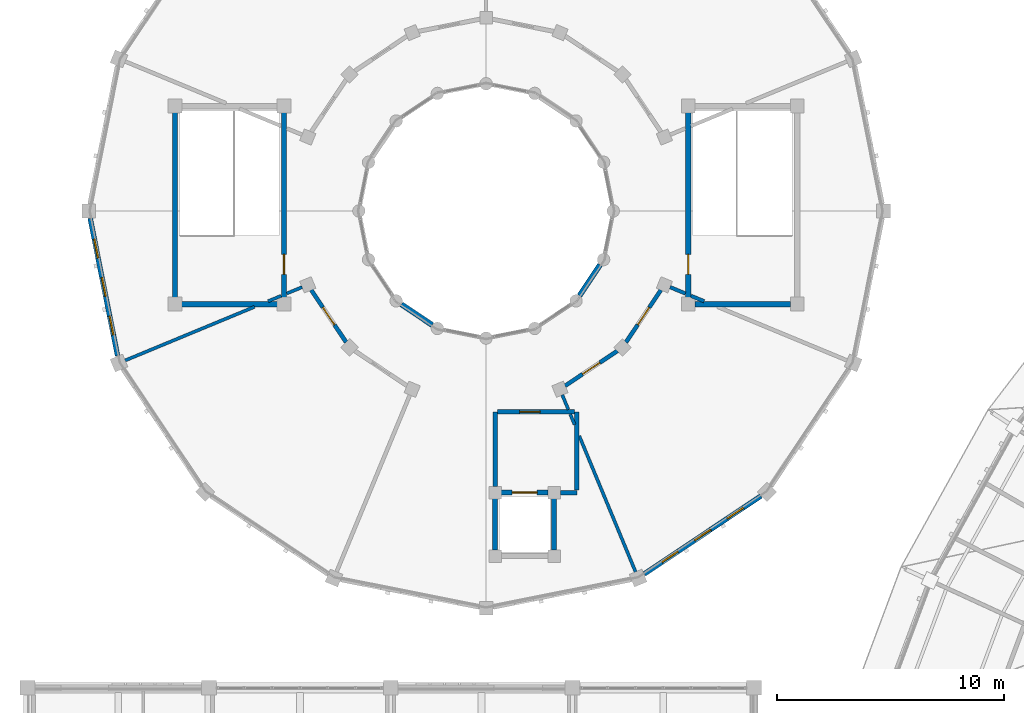
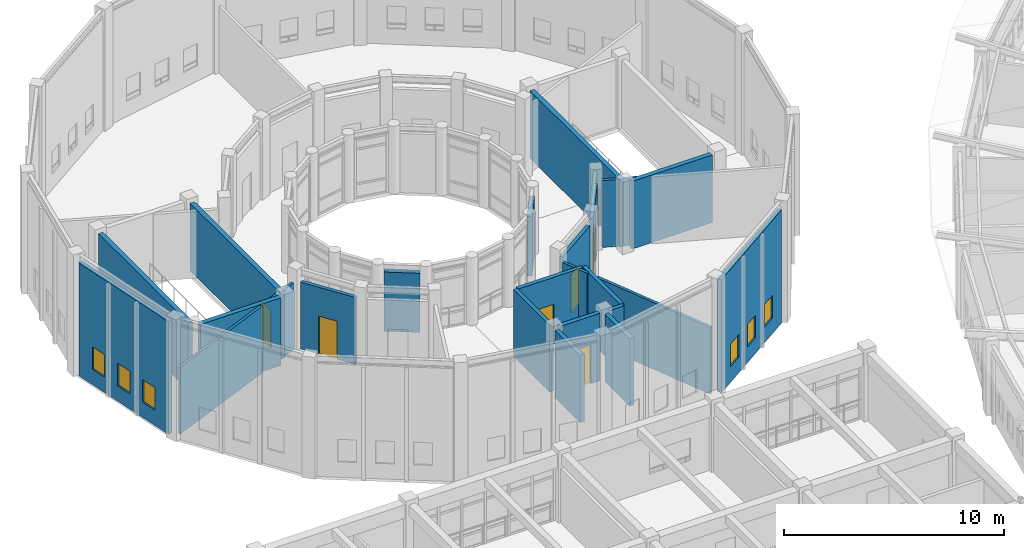
# One storey, part 126 of 149: 27 walls, 7 doors, 6 windows, 13 openings.
"""IFC4 building model written with IfcOpenShell, lengths in metres."""

import ifcopenshell
import ifcopenshell.guid

model = None  # the IFC model being written
_history = None  # IfcOwnerHistory: only IFC2X3 demands one
_inside = {}  # id of a spatial element -> (the spatial element, [elements in it])
_under = {}  # id of a project, library or spatial element -> (it, [spatial elements below it])
_declared = {}  # id of a project -> (the project, [libraries it declares])
_typed = {}  # id of a type object -> (the type object, [elements of that type])
_made_of = {}  # id of a material, layer set ... -> (it, [elements and type objects made of it])


def new_model(schema):
    """Start an empty IFC model of exactly this schema.

    Asked for "IFC4X3", IfcOpenShell would pick the latest addendum, in which some entities
    have other attributes; the version numbers below select the first issue.
    IFC2X3 requires an IfcOwnerHistory on every rooted entity: one is made here for all.
    """
    global model, _history
    if schema == "IFC4X3":
        model = ifcopenshell.file(schema_version=(4, 3, 0, 0))
    else:
        model = ifcopenshell.file(schema=schema)
    _inside.clear()
    _under.clear()
    _declared.clear()
    _typed.clear()
    _made_of.clear()
    _history = None
    if model.schema == "IFC2X3":
        org = make("IfcOrganization", Name="unknown")
        user = make(
            "IfcPersonAndOrganization",
            ThePerson=make("IfcPerson", FamilyName="unknown"),
            TheOrganization=org,
        )
        app = make(
            "IfcApplication",
            ApplicationDeveloper=org,
            Version="unknown",
            ApplicationFullName="unknown",
            ApplicationIdentifier="unknown",
        )
        _history = make(
            "IfcOwnerHistory",
            OwningUser=user,
            OwningApplication=app,
            ChangeAction="ADDED",
            CreationDate=0,
        )
    return model


def make(cls, **values):
    """One entity of the class cls with the attributes given. An attribute that is None is left unset."""
    return model.create_entity(
        cls, **{name: value for name, value in values.items() if value is not None}
    )


def rooted(cls, **values):
    """An entity with a GlobalId (a new one), such as an element, a storey or a relation."""
    return make(cls, GlobalId=ifcopenshell.guid.new(), OwnerHistory=_history, **values)


def si_unit(unit_type, name, prefix=None):
    """IfcSIUnit, for example si_unit("LENGTHUNIT", "METRE", prefix="MILLI")."""
    return make("IfcSIUnit", UnitType=unit_type, Prefix=prefix, Name=name)


def assignment(units):
    """IfcUnitAssignment: the units of a project."""
    return None if units is None else make("IfcUnitAssignment", Units=units)


def point(xyz):
    """IfcCartesianPoint."""
    return None if xyz is None else make("IfcCartesianPoint", Coordinates=xyz)


def direction(xyz):
    """IfcDirection."""
    return None if xyz is None else make("IfcDirection", DirectionRatios=xyz)


def frame(location, z_axis=None, x_axis=None):
    """IfcAxis2Placement3D, a coordinate frame: its origin and axes. An axis left out is left unset."""
    return make(
        "IfcAxis2Placement3D",
        Location=point(location),
        Axis=direction(z_axis),
        RefDirection=direction(x_axis),
    )


def frame_2d(location, x_axis=None):
    """IfcAxis2Placement2D, a coordinate frame in the plane: its origin and x axis."""
    return make(
        "IfcAxis2Placement2D", Location=point(location), RefDirection=direction(x_axis)
    )


def origin():
    """The frame at (0, 0, 0) with its axes left unset."""
    return frame((0.0, 0.0, 0.0))


def place(relative_to, where):
    """IfcLocalPlacement: puts the frame where relative to a parent placement (None: the world)."""
    return make(
        "IfcLocalPlacement", PlacementRelTo=relative_to, RelativePlacement=where
    )


def context(
    kind, dimensions, precision=None, world=None, true_north=None, identifier=None
):
    """IfcGeometricRepresentationContext, for example the 3D "Model" context."""
    return make(
        "IfcGeometricRepresentationContext",
        ContextIdentifier=identifier,
        ContextType=kind,
        CoordinateSpaceDimension=dimensions,
        Precision=precision,
        WorldCoordinateSystem=world,
        TrueNorth=true_north,
    )


def subcontext(parent, identifier, kind, view, scale=None):
    """IfcGeometricRepresentationSubContext, for example "Body" below "Model"."""
    return make(
        "IfcGeometricRepresentationSubContext",
        ContextIdentifier=identifier,
        ContextType=kind,
        ParentContext=parent,
        TargetScale=scale,
        TargetView=view,
    )


def project(units=None, contexts=None):
    """IfcProject with its units and contexts."""
    return rooted(
        "IfcProject",
        Name="project",
        RepresentationContexts=contexts,
        UnitsInContext=assignment(units),
    )


def spatial(cls, under=None, at=None, **own):
    """A site, building, storey or space (cls), placed at a placement, below another one or the project."""
    s = rooted(cls, ObjectPlacement=at, **own)
    if under is not None:
        _under.setdefault(under.id(), (under, []))[1].append(s)
    return s


def profile(cls, at=None, kind="AREA", **sizes):
    """A parametric profile (cls). Its sizes go by their IFC names, for example OverallWidth=200.0."""
    return make(cls, ProfileType=kind, Position=at, **sizes)


def rectangle(**sizes):
    """IfcRectangleProfileDef."""
    return profile("IfcRectangleProfileDef", **sizes)


def extrude(swept, where, along, depth):
    """IfcExtrudedAreaSolid: the profile swept, set in the frame where, extruded along a direction by depth."""
    return make(
        "IfcExtrudedAreaSolid",
        SweptArea=swept,
        Position=where,
        ExtrudedDirection=direction(along),
        Depth=depth,
    )


def shape(context_of_items, identifier, shape_type, items):
    """IfcShapeRepresentation: the items that make up one representation, for example the "Body"."""
    return make(
        "IfcShapeRepresentation",
        ContextOfItems=context_of_items,
        RepresentationIdentifier=identifier,
        RepresentationType=shape_type,
        Items=items,
    )


def material(Name=None, Category=None):
    """IfcMaterial."""
    return make("IfcMaterial", Name=Name, Category=Category)


def layer(
    of_material, thickness, ventilated=None, Name=None, Category=None, Priority=None
):
    """IfcMaterialLayer: one layer of a wall or slab, of a material (None: an air gap)."""
    return make(
        "IfcMaterialLayer",
        Material=of_material,
        LayerThickness=thickness,
        IsVentilated=ventilated,
        Name=Name,
        Category=Category,
        Priority=Priority,
    )


def layer_set(layers, Name=None):
    """IfcMaterialLayerSet."""
    return make("IfcMaterialLayerSet", MaterialLayers=layers, LayerSetName=Name)


def made_of(thing, what):
    """Note that an element or type object is made of a material, layer set ...; save() writes the relation."""
    if what is not None:
        _made_of.setdefault(what.id(), (what, []))[1].append(thing)
    return thing


def type_object(cls, material=None, **own):
    """A type object (cls), such as IfcWallType, which elements share."""
    return made_of(rooted(cls, **own), material)


def element(
    cls,
    number,
    at=None,
    inside=None,
    cuts=None,
    type_object=None,
    material=None,
    context=None,
    identifier="Body",
    shape_type=None,
    held_by="IfcProductDefinitionShape",
    body=None,
    shapes=None,
    **own,
):
    """One element of the class cls, such as IfcWall. Its Tag is "e" and its number.

    at: its placement. inside: the storey or other place that contains it. cuts: it is an
    opening in that element (IfcRelVoidsElement). A single representation is given by context,
    identifier, shape_type and body (its items); several are given by shapes. held_by: the class
    of the entity that holds the representations. save() writes the other relations.
    """
    e = rooted(cls, Tag="e%d" % number, ObjectPlacement=at, **own)
    if body is not None:
        shapes = [shape(context, identifier, shape_type, body)]
    if shapes is not None:
        e.Representation = make(held_by, Representations=shapes)
    if inside is not None:
        _inside.setdefault(inside.id(), (inside, []))[1].append(e)
    if cuts is not None:
        rooted(
            "IfcRelVoidsElement", RelatingBuildingElement=cuts, RelatedOpeningElement=e
        )
    if type_object is not None:
        _typed.setdefault(type_object.id(), (type_object, []))[1].append(e)
    return made_of(e, material)


def fill(opening, filler):
    """IfcRelFillsElement: the door or window that sits in an opening."""
    return rooted(
        "IfcRelFillsElement",
        RelatingOpeningElement=opening,
        RelatedBuildingElement=filler,
    )


def aggregate(whole, parts):
    """IfcRelAggregates: a whole, such as a stair, and the parts it consists of."""
    return rooted("IfcRelAggregates", RelatingObject=whole, RelatedObjects=parts)


def save(model, path):
    """Write the relations noted so far, then the file.

    IfcRelAggregates (storeys below a building ...), IfcRelContainedInSpatialStructure (elements
    in a storey), IfcRelDefinesByType, IfcRelAssociatesMaterial and IfcRelDeclares: one each for
    every whole, place, type object, material and project.
    """
    for whole, parts in _under.values():
        aggregate(whole, parts)
    for where, things in _inside.values():
        rooted(
            "IfcRelContainedInSpatialStructure",
            RelatedElements=things,
            RelatingStructure=where,
        )
    for kind, things in _typed.values():
        rooted("IfcRelDefinesByType", RelatedObjects=things, RelatingType=kind)
    for what, things in _made_of.values():
        rooted("IfcRelAssociatesMaterial", RelatedObjects=things, RelatingMaterial=what)
    for by, libraries in _declared.values():
        rooted("IfcRelDeclares", RelatingContext=by, RelatedDefinitions=libraries)
    model.write(path)


model = new_model("IFC4")

# Units and contexts
model_context = context("Model", 3, precision=1e-05, world=origin(), true_north=direction((0.0, 1.0)))
body_context = subcontext(model_context, "Body", "Model", "MODEL_VIEW")
ifc_project = project(units=[si_unit("LENGTHUNIT", "METRE"), si_unit("AREAUNIT", "SQUARE_METRE"), si_unit("VOLUMEUNIT", "CUBIC_METRE"), si_unit("PLANEANGLEUNIT", "RADIAN"), si_unit("MASSUNIT", "GRAM", prefix="KILO")], contexts=[model_context])

# Site, building, storey
site_placement = place(None, origin())
site = spatial("IfcSite", under=ifc_project, at=site_placement, CompositionType="ELEMENT")
building_placement = place(site_placement, origin())
building = spatial("IfcBuilding", under=site, at=building_placement, Name="Celadon Cloister-Ring School", CompositionType="ELEMENT")
storey_placement = place(building_placement, frame((0.0, 0.0, 12.5)))
storey = spatial("IfcBuildingStorey", under=building, at=storey_placement, Name="L03", CompositionType="ELEMENT", Elevation=12.5)

# Walls
ifc_material_1 = material(Name="Rendered concrete blockwork", Category="masonry")
ifc_layer_1 = layer(ifc_material_1, 0.239990234375)
ifc_layer_set_1 = layer_set([ifc_layer_1], Name="Rendered concrete blockwork")
wall_type_1 = type_object("IfcWallType", Name="WT-EX3", PredefinedType="SOLIDWALL", material=ifc_layer_set_1)
for number, where, z_axis, x_axis, name in (
    (1, (16.469970703125, 92.885986328125, 0.0), (0.0, 0.0, 1.0), (0.83165874011, -0.555287078904, 0.0), "Exterior Wall 0284"),
    (2, (24.31396484375, 93.27001953125, 0.0), (0.0, 0.0, 1.0), (0.555287078904, 0.83165874011, 0.0), "Exterior Wall 0289"),
):
    element("IfcWall", number, at=place(storey_placement, frame(where, z_axis=z_axis, x_axis=x_axis)), inside=storey, type_object=wall_type_1, Name=name, PredefinedType="SOLIDWALL", context=body_context, shape_type="SweptSolid", body=[
        extrude(rectangle(XDim=1.631591796875, YDim=0.239990234375, at=frame_2d((0.81591796875, 0.0))), origin(), (0.0, 0.0, 1.0), 3.27490234375),
    ])

# Wall, openings, windows
ifc_material_2 = material(Name="Perforated terracotta clay brick masonry", Category="masonry")
ifc_layer_2 = layer(ifc_material_2, 0.219970703125)
ifc_layer_set_2 = layer_set([ifc_layer_2], Name="Perforated terracotta clay brick masonry")
wall_type_2 = type_object("IfcWallType", Name="WT-EX4", PredefinedType="SOLIDWALL", material=ifc_layer_set_2)
wall_1_placement = place(storey_placement, frame((3.968017578125, 90.6259765625, 0.0), z_axis=(0.0, 0.0, 1.0), x_axis=(-0.195164813773, 0.980770460131, 0.0)))
wall_1 = element("IfcWall", 3, at=wall_1_placement, inside=storey, type_object=wall_type_2, Name="Exterior Wall 0281", PredefinedType="SOLIDWALL", context=body_context, shape_type="SweptSolid", body=[
    extrude(rectangle(XDim=6.169677734375, YDim=0.219970703125, at=frame_2d((3.0849609375, 0.0))), origin(), (0.0, 0.0, 1.0), 6.25),
])
opening_1_placement = place(wall_1_placement, frame((0.931884765625, 0.0, 0.85009765625)))
opening_1 = element("IfcOpeningElement", 4, at=opening_1_placement, cuts=wall_1, Name="Opening WN-11", PredefinedType="OPENING", context=body_context, shape_type="SweptSolid", body=[
    extrude(rectangle(XDim=0.85009765625, YDim=1.25, at=frame_2d((0.425048828125, 0.625))), frame((0.0, 0.1201171875, 0.0), z_axis=(0.0, -1.0, 0.0), x_axis=(1.0, 0.0, 0.0)), (0.0, 0.0, 1.0), 0.239990234375),
])
opening_2_placement = place(wall_1_placement, frame((2.659912109375, 0.0, 0.85009765625)))
opening_2 = element("IfcOpeningElement", 5, at=opening_2_placement, cuts=wall_1, Name="Opening WN-11", PredefinedType="OPENING", context=body_context, shape_type="SweptSolid", body=[
    extrude(rectangle(XDim=0.85009765625, YDim=1.25, at=frame_2d((0.425048828125, 0.625))), frame((0.0, 0.1201171875, 0.0), z_axis=(0.0, -1.0, 0.0), x_axis=(1.0, 0.0, 0.0)), (0.0, 0.0, 1.0), 0.239990234375),
])
opening_3_placement = place(wall_1_placement, frame((4.386962890625, 0.0, 0.85009765625)))
opening_3 = element("IfcOpeningElement", 6, at=opening_3_placement, cuts=wall_1, Name="Opening WN-11", PredefinedType="OPENING", context=body_context, shape_type="SweptSolid", body=[
    extrude(rectangle(XDim=0.85009765625, YDim=1.25, at=frame_2d((0.425048828125, 0.625))), frame((0.0, 0.1201171875, 0.0), z_axis=(0.0, -1.0, 0.0), x_axis=(1.0, 0.0, 0.0)), (0.0, 0.0, 1.0), 0.239990234375),
])
ifc_material_3 = material(Name="Tempered laminated insulating glass", Category="glass")
window_type = type_object("IfcWindowType", Name="WN-11", PartitioningType="SINGLE_PANEL", PredefinedType="WINDOW", material=ifc_material_3)
window_1_placement = place(opening_1_placement, origin())
window_1 = element("IfcWindow", 7, at=window_1_placement, inside=storey, type_object=window_type, Name="Window 0738", OverallHeight=1.25, OverallWidth=0.85009765625, PartitioningType="SINGLE_PANEL", PredefinedType="WINDOW", context=body_context, shape_type="SweptSolid", body=[
    extrude(rectangle(XDim=0.85009765625, YDim=1.25, at=frame_2d((0.425048828125, 0.625))), frame((0.0, 0.030029296875, 0.0), z_axis=(0.0, -1.0, 0.0), x_axis=(1.0, 0.0, 0.0)), (0.0, 0.0, 1.0), 0.06005859375),
])
fill(opening_1, window_1)
window_2_placement = place(opening_2_placement, origin())
window_2 = element("IfcWindow", 8, at=window_2_placement, inside=storey, type_object=window_type, Name="Window 0739", OverallHeight=1.25, OverallWidth=0.85009765625, PartitioningType="SINGLE_PANEL", PredefinedType="WINDOW", context=body_context, shape_type="SweptSolid", body=[
    extrude(rectangle(XDim=0.85009765625, YDim=1.25, at=frame_2d((0.425048828125, 0.625))), frame((0.0, 0.030029296875, 0.0), z_axis=(0.0, -1.0, 0.0), x_axis=(1.0, 0.0, 0.0)), (0.0, 0.0, 1.0), 0.06005859375),
])
fill(opening_2, window_2)
window_3_placement = place(opening_3_placement, origin())
window_3 = element("IfcWindow", 9, at=window_3_placement, inside=storey, type_object=window_type, Name="Window 0740", OverallHeight=1.25, OverallWidth=0.85009765625, PartitioningType="SINGLE_PANEL", PredefinedType="WINDOW", context=body_context, shape_type="SweptSolid", body=[
    extrude(rectangle(XDim=0.85009765625, YDim=1.25, at=frame_2d((0.425048828125, 0.625))), frame((0.0, 0.030029296875, 0.0), z_axis=(0.0, -1.0, 0.0), x_axis=(1.0, 0.0, 0.0)), (0.0, 0.0, 1.0), 0.06005859375),
])
fill(opening_3, window_3)

wall_2_placement = place(storey_placement, frame((32.300048828125, 84.443115234375, 0.0), z_axis=(0.0, 0.0, 1.0), x_axis=(-0.831392186772, -0.55568609104, 0.0)))
wall_2 = element("IfcWall", 10, at=wall_2_placement, inside=storey, type_object=wall_type_2, Name="Exterior Wall 0287", PredefinedType="SOLIDWALL", context=body_context, shape_type="SweptSolid", body=[
    extrude(rectangle(XDim=6.16943359375, YDim=0.219970703125, at=frame_2d((3.084716796875, 0.0))), origin(), (0.0, 0.0, 1.0), 6.25),
])
opening_4_placement = place(wall_2_placement, frame((0.931884765625, 0.0, 0.85009765625)))
opening_4 = element("IfcOpeningElement", 11, at=opening_4_placement, cuts=wall_2, Name="Opening WN-11", PredefinedType="OPENING", context=body_context, shape_type="SweptSolid", body=[
    extrude(rectangle(XDim=0.85009765625, YDim=1.25, at=frame_2d((0.425048828125, 0.625))), frame((0.0, 0.1201171875, 0.0), z_axis=(0.0, -1.0, 0.0), x_axis=(1.0, 0.0, 0.0)), (0.0, 0.0, 1.0), 0.239990234375),
])
opening_5_placement = place(wall_2_placement, frame((2.659912109375, 0.0, 0.85009765625)))
opening_5 = element("IfcOpeningElement", 12, at=opening_5_placement, cuts=wall_2, Name="Opening WN-11", PredefinedType="OPENING", context=body_context, shape_type="SweptSolid", body=[
    extrude(rectangle(XDim=0.85009765625, YDim=1.25, at=frame_2d((0.425048828125, 0.625))), frame((0.0, 0.1201171875, 0.0), z_axis=(0.0, -1.0, 0.0), x_axis=(1.0, 0.0, 0.0)), (0.0, 0.0, 1.0), 0.239990234375),
])
opening_6_placement = place(wall_2_placement, frame((4.386962890625, 0.0, 0.85009765625)))
opening_6 = element("IfcOpeningElement", 13, at=opening_6_placement, cuts=wall_2, Name="Opening WN-11", PredefinedType="OPENING", context=body_context, shape_type="SweptSolid", body=[
    extrude(rectangle(XDim=0.85009765625, YDim=1.25, at=frame_2d((0.425048828125, 0.625))), frame((0.0, 0.1201171875, 0.0), z_axis=(0.0, -1.0, 0.0), x_axis=(1.0, 0.0, 0.0)), (0.0, 0.0, 1.0), 0.239990234375),
])
window_4_placement = place(opening_4_placement, origin())
window_4 = element("IfcWindow", 14, at=window_4_placement, inside=storey, type_object=window_type, Name="Window 0753", OverallHeight=1.25, OverallWidth=0.85009765625, PartitioningType="SINGLE_PANEL", PredefinedType="WINDOW", context=body_context, shape_type="SweptSolid", body=[
    extrude(rectangle(XDim=0.85009765625, YDim=1.25, at=frame_2d((0.425048828125, 0.625))), frame((0.0, 0.030029296875, 0.0), z_axis=(0.0, -1.0, 0.0), x_axis=(1.0, 0.0, 0.0)), (0.0, 0.0, 1.0), 0.06005859375),
])
fill(opening_4, window_4)
window_5_placement = place(opening_5_placement, origin())
window_5 = element("IfcWindow", 15, at=window_5_placement, inside=storey, type_object=window_type, Name="Window 0754", OverallHeight=1.25, OverallWidth=0.85009765625, PartitioningType="SINGLE_PANEL", PredefinedType="WINDOW", context=body_context, shape_type="SweptSolid", body=[
    extrude(rectangle(XDim=0.85009765625, YDim=1.25, at=frame_2d((0.425048828125, 0.625))), frame((0.0, 0.030029296875, 0.0), z_axis=(0.0, -1.0, 0.0), x_axis=(1.0, 0.0, 0.0)), (0.0, 0.0, 1.0), 0.06005859375),
])
fill(opening_5, window_5)
window_6_placement = place(opening_6_placement, origin())
window_6 = element("IfcWindow", 16, at=window_6_placement, inside=storey, type_object=window_type, Name="Window 0755", OverallHeight=1.25, OverallWidth=0.85009765625, PartitioningType="SINGLE_PANEL", PredefinedType="WINDOW", context=body_context, shape_type="SweptSolid", body=[
    extrude(rectangle(XDim=0.85009765625, YDim=1.25, at=frame_2d((0.425048828125, 0.625))), frame((0.0, 0.030029296875, 0.0), z_axis=(0.0, -1.0, 0.0), x_axis=(1.0, 0.0, 0.0)), (0.0, 0.0, 1.0), 0.06005859375),
])
fill(opening_6, window_6)

# Walls
ifc_material_4 = material(Name="Plastered hollow concrete masonry", Category="masonry")
ifc_layer_3 = layer(ifc_material_4, 0.199951171875)
ifc_layer_set_3 = layer_set([ifc_layer_3], Name="Plastered hollow concrete masonry")
wall_type_3 = type_object("IfcWallType", Name="WT-PT1", PredefinedType="PARTITIONING", material=ifc_layer_set_3)
wall_3_placement = place(storey_placement, frame((23.467041015625, 84.60009765625, 0.0), z_axis=(0.0, 0.0, 1.0), x_axis=(1.0, 0.0, 0.0)))
element("IfcWall", 17, at=wall_3_placement, inside=storey, type_object=wall_type_3, Name="Interior Wall 0363", PredefinedType="PARTITIONING", context=body_context, shape_type="SweptSolid", body=[
    extrude(rectangle(XDim=0.73291015625, YDim=0.199951171875, at=frame_2d((0.366455078125, 0.0))), origin(), (0.0, 0.0, 1.0), 3.699951171875),
])
wall_4_placement = place(storey_placement, frame((20.60009765625, 84.866943359375, 0.0), z_axis=(0.0, 0.0, 1.0), x_axis=(0.0, 1.0, 0.0)))
element("IfcWall", 18, at=wall_4_placement, inside=storey, type_object=wall_type_3, Name="Interior Wall 0364", PredefinedType="PARTITIONING", context=body_context, shape_type="SweptSolid", body=[
    extrude(rectangle(XDim=3.282958984375, YDim=0.199951171875, at=frame_2d((1.6416015625, 0.0))), origin(), (0.0, 0.0, 1.0), 3.699951171875),
])
wall_5_placement = place(storey_placement, frame((24.199951171875, 84.702880859375, 0.0), z_axis=(0.0, 0.0, 1.0), x_axis=(0.0, 1.0, 0.0)))
element("IfcWall", 19, at=wall_5_placement, inside=storey, type_object=wall_type_3, Name="Interior Wall 0365", PredefinedType="PARTITIONING", context=body_context, shape_type="SweptSolid", body=[
    extrude(rectangle(XDim=3.447021484375, YDim=0.199951171875, at=frame_2d((1.7236328125, 0.0))), origin(), (0.0, 0.0, 1.0), 3.699951171875),
])

# Wall, opening, door
wall_6_placement = place(storey_placement, frame((20.702880859375, 88.14990234375, 0.0), z_axis=(0.0, 0.0, 1.0), x_axis=(1.0, 0.0, 0.0)))
wall_6 = element("IfcWall", 20, at=wall_6_placement, inside=storey, type_object=wall_type_3, Name="Interior Wall 0366", PredefinedType="PARTITIONING", context=body_context, shape_type="SweptSolid", body=[
    extrude(rectangle(XDim=3.39404296875, YDim=0.199951171875, at=frame_2d((1.697021484375, 0.0))), origin(), (0.0, 0.0, 1.0), 3.699951171875),
])
opening_7_placement = place(wall_6_placement, frame((0.97509765625, 0.0, 0.0)))
opening_7 = element("IfcOpeningElement", 21, at=opening_7_placement, cuts=wall_6, Name="Opening D-0104", PredefinedType="OPENING", context=body_context, shape_type="SweptSolid", body=[
    extrude(rectangle(XDim=0.89990234375, YDim=2.199951171875, at=frame_2d((0.449951171875, 1.10009765625))), frame((0.0, 0.10986328125, 0.0), z_axis=(0.0, -1.0, 0.0), x_axis=(1.0, 0.0, 0.0)), (0.0, 0.0, 1.0), 0.219970703125),
])
ifc_material_5 = material(Name="Solid-core fire-rated hardwood leaf", Category="wood")
door_type_1 = type_object("IfcDoorType", Name="DT-06", OperationType="NOTDEFINED", PredefinedType="DOOR", material=ifc_material_5)
door_1_placement = place(opening_7_placement, origin())
door_1 = element("IfcDoor", 22, at=door_1_placement, inside=storey, type_object=door_type_1, Name="Door D-0104", OperationType="SINGLE_SWING_RIGHT", OverallHeight=2.199951171875, OverallWidth=0.89990234375, PredefinedType="DOOR", context=body_context, shape_type="SweptSolid", body=[
    extrude(rectangle(XDim=0.89990234375, YDim=2.199951171875, at=frame_2d((0.449951171875, 1.10009765625))), frame((0.0, 0.02490234375, 0.0), z_axis=(0.0, -1.0, 0.0), x_axis=(1.0, 0.0, 0.0)), (0.0, 0.0, 1.0), 0.050048828125),
])
fill(opening_7, door_1)

ifc_material_6 = material(Name="Plastered hollow concrete masonry", Category="masonry")
ifc_layer_4 = layer(ifc_material_6, 0.179931640625)
ifc_layer_set_4 = layer_set([ifc_layer_4], Name="Plastered hollow concrete masonry")
wall_type_4 = type_object("IfcWallType", Name="WT-PT2", PredefinedType="PARTITIONING", material=ifc_layer_set_4)
wall_7_placement = place(storey_placement, frame((12.498046875, 93.52099609375, 0.0), z_axis=(0.0, 0.0, 1.0), x_axis=(0.555797002478, -0.831318045056, 0.0)))
wall_7 = element("IfcWall", 23, at=wall_7_placement, inside=storey, type_object=wall_type_4, Name="Interior Wall 0754", PredefinedType="PARTITIONING", context=body_context, shape_type="SweptSolid", body=[
    extrude(rectangle(XDim=2.772705078125, YDim=0.179931640625, at=frame_2d((1.38623046875, 0.0))), origin(), (0.0, 0.0, 1.0), 3.699951171875),
])
opening_8_placement = place(wall_7_placement, frame((0.926025390625, 0.0, 0.0)))
opening_8 = element("IfcOpeningElement", 24, at=opening_8_placement, cuts=wall_7, Name="Opening D-0275", PredefinedType="OPENING", context=body_context, shape_type="SweptSolid", body=[
    extrude(rectangle(XDim=0.919921875, YDim=2.10009765625, at=frame_2d((0.4599609375, 1.050048828125))), frame((0.0, 0.10009765625, 0.0), z_axis=(0.0, -1.0, 0.0), x_axis=(1.0, 0.0, 0.0)), (0.0, 0.0, 1.0), 0.199951171875),
])
ifc_material_7 = material(Name="Solid-core fire-rated hardwood leaf", Category="wood")
door_type_2 = type_object("IfcDoorType", Name="DT-02", OperationType="NOTDEFINED", PredefinedType="DOOR", material=ifc_material_7)
door_2_placement = place(opening_8_placement, origin())
door_2 = element("IfcDoor", 25, at=door_2_placement, inside=storey, type_object=door_type_2, Name="Door D-0275", OperationType="SINGLE_SWING_LEFT", OverallHeight=2.10009765625, OverallWidth=0.919921875, PredefinedType="DOOR", context=body_context, shape_type="SweptSolid", body=[
    extrude(rectangle(XDim=0.919921875, YDim=2.10009765625, at=frame_2d((0.4599609375, 1.050048828125))), frame((0.0, 0.02490234375, 0.0), z_axis=(0.0, -1.0, 0.0), x_axis=(1.0, 0.0, 0.0)), (0.0, 0.0, 1.0), 0.050048828125),
])
fill(opening_8, door_2)

wall_8_placement = place(storey_placement, frame((23.678955078125, 89.298095703125, 0.0), z_axis=(0.0, 0.0, 1.0), x_axis=(0.831318045056, 0.555797002478, 0.0)))
wall_8 = element("IfcWall", 26, at=wall_8_placement, inside=storey, type_object=wall_type_4, Name="Interior Wall 0756", PredefinedType="PARTITIONING", context=body_context, shape_type="SweptSolid", body=[
    extrude(rectangle(XDim=2.772705078125, YDim=0.179931640625, at=frame_2d((1.38623046875, 0.0))), origin(), (0.0, 0.0, 1.0), 3.699951171875),
])
opening_9_placement = place(wall_8_placement, frame((0.926025390625, 0.0, 0.0)))
opening_9 = element("IfcOpeningElement", 27, at=opening_9_placement, cuts=wall_8, Name="Opening D-0277", PredefinedType="OPENING", context=body_context, shape_type="SweptSolid", body=[
    extrude(rectangle(XDim=0.919921875, YDim=2.10009765625, at=frame_2d((0.4599609375, 1.050048828125))), frame((0.0, 0.10009765625, 0.0), z_axis=(0.0, -1.0, 0.0), x_axis=(1.0, 0.0, 0.0)), (0.0, 0.0, 1.0), 0.199951171875),
])
door_3_placement = place(opening_9_placement, origin())
door_3 = element("IfcDoor", 28, at=door_3_placement, inside=storey, type_object=door_type_2, Name="Door D-0277", OperationType="SINGLE_SWING_LEFT", OverallHeight=2.10009765625, OverallWidth=0.919921875, PredefinedType="DOOR", context=body_context, shape_type="SweptSolid", body=[
    extrude(rectangle(XDim=0.919921875, YDim=2.10009765625, at=frame_2d((0.4599609375, 1.050048828125))), frame((0.0, 0.02490234375, 0.0), z_axis=(0.0, -1.0, 0.0), x_axis=(1.0, 0.0, 0.0)), (0.0, 0.0, 1.0), 0.050048828125),
])
fill(opening_9, door_3)

wall_9_placement = place(storey_placement, frame((26.361083984375, 91.216064453125, 0.0), z_axis=(0.0, 0.0, 1.0), x_axis=(0.555797002478, 0.831318045056, 0.0)))
wall_9 = element("IfcWall", 29, at=wall_9_placement, inside=storey, type_object=wall_type_4, Name="Interior Wall 0757", PredefinedType="PARTITIONING", context=body_context, shape_type="SweptSolid", body=[
    extrude(rectangle(XDim=2.772705078125, YDim=0.179931640625, at=frame_2d((1.38623046875, 0.0))), origin(), (0.0, 0.0, 1.0), 3.699951171875),
])
opening_10_placement = place(wall_9_placement, frame((0.926025390625, 0.0, 0.0)))
opening_10 = element("IfcOpeningElement", 30, at=opening_10_placement, cuts=wall_9, Name="Opening D-0278", PredefinedType="OPENING", context=body_context, shape_type="SweptSolid", body=[
    extrude(rectangle(XDim=0.919921875, YDim=2.10009765625, at=frame_2d((0.4599609375, 1.050048828125))), frame((0.0, 0.10009765625, 0.0), z_axis=(0.0, -1.0, 0.0), x_axis=(1.0, 0.0, 0.0)), (0.0, 0.0, 1.0), 0.199951171875),
])
door_4_placement = place(opening_10_placement, origin())
door_4 = element("IfcDoor", 31, at=door_4_placement, inside=storey, type_object=door_type_2, Name="Door D-0278", OperationType="SINGLE_SWING_RIGHT", OverallHeight=2.10009765625, OverallWidth=0.919921875, PredefinedType="DOOR", context=body_context, shape_type="SweptSolid", body=[
    extrude(rectangle(XDim=0.919921875, YDim=2.10009765625, at=frame_2d((0.4599609375, 1.050048828125))), frame((0.0, 0.02490234375, 0.0), z_axis=(0.0, -1.0, 0.0), x_axis=(1.0, 0.0, 0.0)), (0.0, 0.0, 1.0), 0.050048828125),
])
fill(opening_10, door_4)

# Walls
ifc_material_8 = material(Name="Plastered hollow concrete masonry", Category="masonry")
ifc_layer_5 = layer(ifc_material_8, 0.159912109375)
ifc_layer_set_5 = layer_set([ifc_layer_5], Name="Plastered hollow concrete masonry")
wall_type_5 = type_object("IfcWallType", Name="WT-PT3", PredefinedType="PARTITIONING", material=ifc_layer_set_5)
wall_10_placement = place(storey_placement, frame((28.300048828125, 93.64501953125, 0.0), z_axis=(0.0, 0.0, 1.0), x_axis=(0.924069600435, -0.382224245113, 0.0)))
element("IfcWall", 32, at=wall_10_placement, inside=storey, type_object=wall_type_5, Name="Interior Wall 0745", PredefinedType="PARTITIONING", context=body_context, shape_type="SweptSolid", body=[
    extrude(rectangle(XDim=0.732666015625, YDim=0.159912109375, at=frame_2d((0.3662109375, 0.0))), origin(), (0.0, 0.0, 1.0), 3.699951171875),
])
wall_11_placement = place(storey_placement, frame((29.222900390625, 93.262939453125, 0.0), z_axis=(0.0, 0.0, 1.0), x_axis=(0.923812676193, -0.382844797933, 0.0)))
element("IfcWall", 33, at=wall_11_placement, inside=storey, type_object=wall_type_5, Name="Interior Wall 0746", PredefinedType="PARTITIONING", context=body_context, shape_type="SweptSolid", body=[
    extrude(rectangle(XDim=0.626953125, YDim=0.159912109375, at=frame_2d((0.3134765625, 0.0))), origin(), (0.0, 0.0, 1.0), 3.699951171875),
])
ifc_material_9 = material(Name="Acoustic mineral-wool drywall partition")
ifc_layer_6 = layer(ifc_material_9, 0.139892578125)
ifc_layer_set_6 = layer_set([ifc_layer_6], Name="Acoustic mineral-wool drywall partition")
wall_type_6 = type_object("IfcWallType", Name="WT-PT4", PredefinedType="PARTITIONING", material=ifc_layer_set_6)
wall_12_placement = place(storey_placement, frame((12.10009765625, 93.64501953125, 0.0), z_axis=(0.0, 0.0, 1.0), x_axis=(-0.924069600435, -0.382224245113, 0.0)))
element("IfcWall", 34, at=wall_12_placement, inside=storey, type_object=wall_type_6, Name="Interior Wall 0738", PredefinedType="PARTITIONING", context=body_context, shape_type="SweptSolid", body=[
    extrude(rectangle(XDim=0.732666015625, YDim=0.139892578125, at=frame_2d((0.3662109375, 0.0))), origin(), (0.0, 0.0, 1.0), 3.699951171875),
])
wall_13_placement = place(storey_placement, frame((11.177001953125, 93.262939453125, 0.0), z_axis=(0.0, 0.0, 1.0), x_axis=(-0.923812676193, -0.382844797933, 0.0)))
element("IfcWall", 35, at=wall_13_placement, inside=storey, type_object=wall_type_6, Name="Interior Wall 0739", PredefinedType="PARTITIONING", context=body_context, shape_type="SweptSolid", body=[
    extrude(rectangle(XDim=0.626953125, YDim=0.139892578125, at=frame_2d((0.3134765625, 0.0))), origin(), (0.0, 0.0, 1.0), 3.699951171875),
])
wall_14_placement = place(storey_placement, frame((10.00390625, 92.777099609375, 0.0), z_axis=(0.0, 0.0, 1.0), x_axis=(-0.923864955254, -0.382718623082, 0.0)))
element("IfcWall", 36, at=wall_14_placement, inside=storey, type_object=wall_type_6, Name="Interior Wall 0740", PredefinedType="PARTITIONING", context=body_context, shape_type="SweptSolid", body=[
    extrude(rectangle(XDim=6.171875, YDim=0.139892578125, at=frame_2d((3.0859375, 0.0))), origin(), (0.0, 0.0, 1.0), 3.699951171875),
])
wall_15_placement = place(storey_placement, frame((23.554931640625, 88.89990234375, 0.0), z_axis=(0.0, 0.0, 1.0), x_axis=(0.38278283439, -0.923838352579, 0.0)))
element("IfcWall", 37, at=wall_15_placement, inside=storey, type_object=wall_type_6, Name="Interior Wall 0742", PredefinedType="PARTITIONING", context=body_context, shape_type="SweptSolid", body=[
    extrude(rectangle(XDim=0.7001953125, YDim=0.139892578125, at=frame_2d((0.35009765625, 0.0))), origin(), (0.0, 0.0, 1.0), 3.699951171875),
])
wall_16_placement = place(storey_placement, frame((23.907958984375, 88.047119140625, 0.0), z_axis=(0.0, 0.0, 1.0), x_axis=(0.3827885685, -0.92383597669, 0.0)))
element("IfcWall", 38, at=wall_16_placement, inside=storey, type_object=wall_type_6, Name="Interior Wall 0743", PredefinedType="PARTITIONING", context=body_context, shape_type="SweptSolid", body=[
    extrude(rectangle(XDim=0.49365234375, YDim=0.139892578125, at=frame_2d((0.246826171875, 0.0))), origin(), (0.0, 0.0, 1.0), 3.699951171875),
])
wall_17_placement = place(storey_placement, frame((24.302978515625, 87.093994140625, 0.0), z_axis=(0.0, 0.0, 1.0), x_axis=(0.382682035927, -0.923880110934, 0.0)))
element("IfcWall", 39, at=wall_17_placement, inside=storey, type_object=wall_type_6, Name="Interior Wall 0744", PredefinedType="PARTITIONING", context=body_context, shape_type="SweptSolid", body=[
    extrude(rectangle(XDim=6.485595703125, YDim=0.139892578125, at=frame_2d((3.24267578125, 0.0))), origin(), (0.0, 0.0, 1.0), 3.699951171875),
])
ifc_material_10 = material(Name="Concrete C40/50", Category="concrete")
ifc_layer_7 = layer(ifc_material_10, 0.239990234375)
ifc_layer_set_7 = layer_set([ifc_layer_7], Name="Concrete C40/50")
wall_type_7 = type_object("IfcWallType", Name="WT-SH1", PredefinedType="SHEAR", material=ifc_layer_set_7)
wall_18_placement = place(storey_placement, frame((6.5, 93.19189453125, 0.0), z_axis=(0.0, 0.0, 1.0), x_axis=(0.0, 1.0, 0.0)))
element("IfcWall", 40, at=wall_18_placement, inside=storey, type_object=wall_type_7, Name="Interior Wall 0093", PredefinedType="SHEAR", context=body_context, shape_type="SweptSolid", body=[
    extrude(rectangle(XDim=8.135986328125, YDim=0.239990234375, at=frame_2d((4.06787109375, 0.0))), origin(), (0.0, 0.0, 1.0), 3.739990234375),
])

# Wall, opening, door
wall_19_placement = place(storey_placement, frame((11.300048828125, 101.327880859375, 0.0), z_axis=(0.0, 0.0, 1.0), x_axis=(0.0, -1.0, 0.0)))
wall_19 = element("IfcWall", 41, at=wall_19_placement, inside=storey, type_object=wall_type_7, Name="Interior Wall 0094", PredefinedType="SHEAR", context=body_context, shape_type="SweptSolid", body=[
    extrude(rectangle(XDim=8.135986328125, YDim=0.239990234375, at=frame_2d((4.06787109375, 0.0))), origin(), (0.0, 0.0, 1.0), 3.739990234375),
])
opening_11_placement = place(wall_19_placement, frame((6.243896484375, 0.0, 0.0)))
opening_11 = element("IfcOpeningElement", 42, at=opening_11_placement, cuts=wall_19, Name="Opening D-0056", PredefinedType="OPENING", context=body_context, shape_type="SweptSolid", body=[
    extrude(rectangle(XDim=0.8798828125, YDim=2.10009765625, at=frame_2d((0.43994140625, 1.050048828125))), frame((0.0, 0.1298828125, 0.0), z_axis=(0.0, -1.0, 0.0), x_axis=(1.0, 0.0, 0.0)), (0.0, 0.0, 1.0), 0.260009765625),
])
ifc_material_11 = material(Name="Solid-core fire-rated hardwood leaf", Category="wood")
door_type_3 = type_object("IfcDoorType", Name="DT-01", OperationType="NOTDEFINED", PredefinedType="DOOR", material=ifc_material_11)
door_5_placement = place(opening_11_placement, origin())
door_5 = element("IfcDoor", 43, at=door_5_placement, inside=storey, type_object=door_type_3, Name="Door D-0056", OperationType="SINGLE_SWING_RIGHT", OverallHeight=2.10009765625, OverallWidth=0.8798828125, PredefinedType="DOOR", context=body_context, shape_type="SweptSolid", body=[
    extrude(rectangle(XDim=0.8798828125, YDim=2.10009765625, at=frame_2d((0.43994140625, 1.050048828125))), frame((0.0, 0.02490234375, 0.0), z_axis=(0.0, -1.0, 0.0), x_axis=(1.0, 0.0, 0.0)), (0.0, 0.0, 1.0), 0.050048828125),
])
fill(opening_11, door_5)

# Wall
wall_20_placement = place(storey_placement, frame((11.008056640625, 92.89990234375, 0.0), z_axis=(0.0, 0.0, 1.0), x_axis=(-1.0, 0.0, 0.0)))
element("IfcWall", 44, at=wall_20_placement, inside=storey, type_object=wall_type_7, Name="Interior Wall 0095", PredefinedType="SHEAR", context=body_context, shape_type="SweptSolid", body=[
    extrude(rectangle(XDim=4.216064453125, YDim=0.239990234375, at=frame_2d((2.10791015625, 0.0))), origin(), (0.0, 0.0, 1.0), 3.739990234375),
])

# Wall, opening, door
wall_21_placement = place(storey_placement, frame((29.10009765625, 93.19189453125, 0.0), z_axis=(0.0, 0.0, 1.0), x_axis=(0.0, 1.0, 0.0)))
wall_21 = element("IfcWall", 45, at=wall_21_placement, inside=storey, type_object=wall_type_7, Name="Interior Wall 0109", PredefinedType="SHEAR", context=body_context, shape_type="SweptSolid", body=[
    extrude(rectangle(XDim=8.135986328125, YDim=0.239990234375, at=frame_2d((4.06787109375, 0.0))), origin(), (0.0, 0.0, 1.0), 3.739990234375),
])
opening_12_placement = place(wall_21_placement, frame((1.011962890625, 0.0, 0.0)))
opening_12 = element("IfcOpeningElement", 46, at=opening_12_placement, cuts=wall_21, Name="Opening D-0060", PredefinedType="OPENING", context=body_context, shape_type="SweptSolid", body=[
    extrude(rectangle(XDim=0.8798828125, YDim=2.10009765625, at=frame_2d((0.43994140625, 1.050048828125))), frame((0.0, 0.1298828125, 0.0), z_axis=(0.0, -1.0, 0.0), x_axis=(1.0, 0.0, 0.0)), (0.0, 0.0, 1.0), 0.260009765625),
])
door_6_placement = place(opening_12_placement, origin())
door_6 = element("IfcDoor", 47, at=door_6_placement, inside=storey, type_object=door_type_3, Name="Door D-0060", OperationType="SINGLE_SWING_RIGHT", OverallHeight=2.10009765625, OverallWidth=0.8798828125, PredefinedType="DOOR", context=body_context, shape_type="SweptSolid", body=[
    extrude(rectangle(XDim=0.8798828125, YDim=2.10009765625, at=frame_2d((0.43994140625, 1.050048828125))), frame((0.0, 0.02490234375, 0.0), z_axis=(0.0, -1.0, 0.0), x_axis=(1.0, 0.0, 0.0)), (0.0, 0.0, 1.0), 0.050048828125),
])
fill(opening_12, door_6)

# Walls
wall_22_placement = place(storey_placement, frame((33.60791015625, 92.89990234375, 0.0), z_axis=(0.0, 0.0, 1.0), x_axis=(-1.0, 0.0, 0.0)))
element("IfcWall", 48, at=wall_22_placement, inside=storey, type_object=wall_type_7, Name="Interior Wall 0111", PredefinedType="SHEAR", context=body_context, shape_type="SweptSolid", body=[
    extrude(rectangle(XDim=4.2158203125, YDim=0.239990234375, at=frame_2d((2.10791015625, 0.0))), origin(), (0.0, 0.0, 1.0), 3.739990234375),
])
ifc_material_12 = material(Name="Concrete C40/50", Category="concrete")
ifc_layer_8 = layer(ifc_material_12, 0.219970703125)
ifc_layer_set_8 = layer_set([ifc_layer_8], Name="Concrete C40/50")
wall_type_8 = type_object("IfcWallType", Name="WT-SH2", PredefinedType="SHEAR", material=ifc_layer_set_8)
wall_23_placement = place(storey_placement, frame((23.199951171875, 82.06689453125, 0.0), z_axis=(0.0, 0.0, 1.0), x_axis=(0.0, 1.0, 0.0)))
element("IfcWall", 49, at=wall_23_placement, inside=storey, type_object=wall_type_8, Name="Interior Wall 0360", PredefinedType="SHEAR", context=body_context, shape_type="SweptSolid", body=[
    extrude(rectangle(XDim=2.26611328125, YDim=0.219970703125, at=frame_2d((1.133056640625, 0.0))), origin(), (0.0, 0.0, 1.0), 3.739990234375),
])

# Wall, opening, door
wall_24_placement = place(storey_placement, frame((22.93310546875, 84.60009765625, 0.0), z_axis=(0.0, 0.0, 1.0), x_axis=(-1.0, 0.0, 0.0)))
wall_24 = element("IfcWall", 50, at=wall_24_placement, inside=storey, type_object=wall_type_8, Name="Interior Wall 0361", PredefinedType="SHEAR", context=body_context, shape_type="SweptSolid", body=[
    extrude(rectangle(XDim=2.066162109375, YDim=0.219970703125, at=frame_2d((1.033203125, 0.0))), origin(), (0.0, 0.0, 1.0), 3.739990234375),
])
opening_13_placement = place(wall_24_placement, frame((0.48291015625, 0.0, 0.0)))
opening_13 = element("IfcOpeningElement", 51, at=opening_13_placement, cuts=wall_24, Name="Opening LD-020", PredefinedType="OPENING", context=body_context, shape_type="SweptSolid", body=[
    extrude(rectangle(XDim=1.10009765625, YDim=2.14990234375, at=frame_2d((0.550048828125, 1.074951171875))), frame((0.0, 0.1201171875, 0.0), z_axis=(0.0, -1.0, 0.0), x_axis=(1.0, 0.0, 0.0)), (0.0, 0.0, 1.0), 0.239990234375),
])
ifc_material_13 = material(Name="Galvanised fire-rated hollow steel leaf", Category="steel")
door_type_4 = type_object("IfcDoorType", Name="DT-LD1", OperationType="DOUBLE_DOOR_SLIDING", PredefinedType="DOOR", material=ifc_material_13)
door_7_placement = place(opening_13_placement, origin())
door_7 = element("IfcDoor", 52, at=door_7_placement, inside=storey, type_object=door_type_4, Name="Door LD-020", OperationType="DOUBLE_DOOR_SLIDING", OverallHeight=2.14990234375, OverallWidth=1.10009765625, PredefinedType="DOOR", context=body_context, shape_type="SweptSolid", body=[
    extrude(rectangle(XDim=1.10009765625, YDim=2.14990234375, at=frame_2d((0.550048828125, 1.074951171875))), frame((0.0, 0.02490234375, 0.0), z_axis=(0.0, -1.0, 0.0), x_axis=(1.0, 0.0, 0.0)), (0.0, 0.0, 1.0), 0.050048828125),
])
fill(opening_13, door_7)

# Wall
wall_25_placement = place(storey_placement, frame((20.60009765625, 84.3330078125, 0.0), z_axis=(0.0, 0.0, 1.0), x_axis=(0.0, -1.0, 0.0)))
element("IfcWall", 53, at=wall_25_placement, inside=storey, type_object=wall_type_8, Name="Interior Wall 0362", PredefinedType="SHEAR", context=body_context, shape_type="SweptSolid", body=[
    extrude(rectangle(XDim=2.26611328125, YDim=0.219970703125, at=frame_2d((1.133056640625, 0.0))), origin(), (0.0, 0.0, 1.0), 3.739990234375),
])

save(model, "model.ifc")
